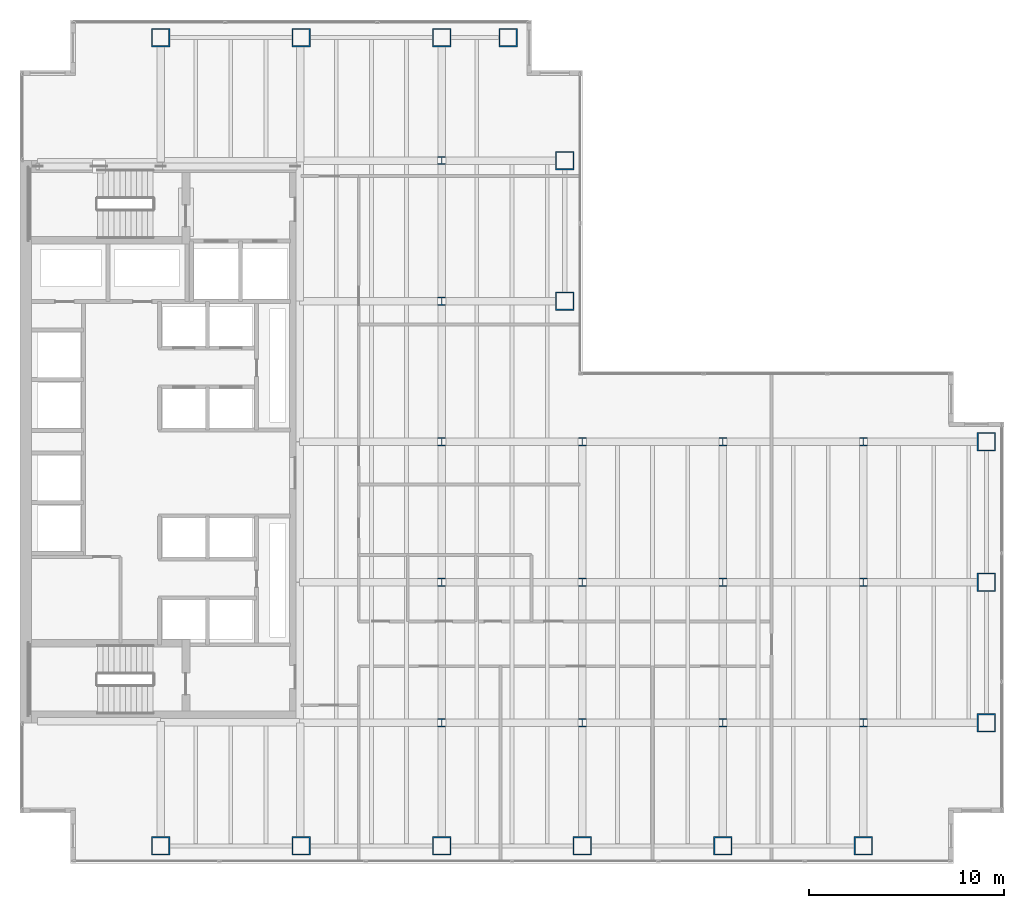
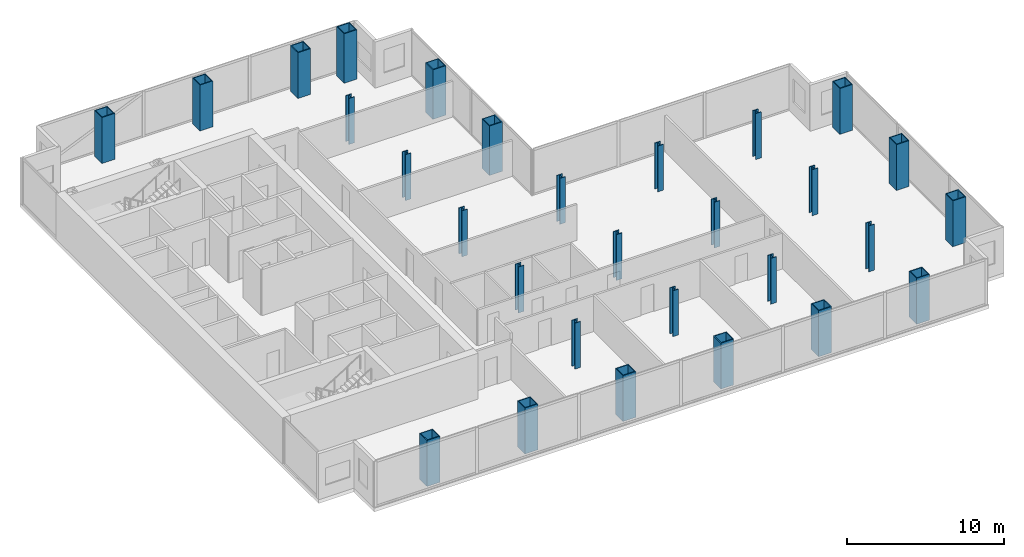
# One storey, part 1 of 23: 29 columns.
"""IFC4 building model written with IfcOpenShell, lengths in metres."""

from ifc_helpers import new_model, si_unit, direction, frame, origin, origin_2d, place, context, subcontext, project, spatial, hollow_rectangle, i_section, extrude, material, material_profile, profile_set, type_object, element, save


model = new_model("IFC4")

# Units and contexts
model_context = context("Model", 3, precision=1e-05, world=origin(), true_north=direction((0.0, 1.0)))
body_context = subcontext(model_context, "Body", "Model", "MODEL_VIEW")
ifc_project = project(units=[si_unit("LENGTHUNIT", "METRE"), si_unit("AREAUNIT", "SQUARE_METRE"), si_unit("VOLUMEUNIT", "CUBIC_METRE"), si_unit("PLANEANGLEUNIT", "RADIAN"), si_unit("MASSUNIT", "GRAM", prefix="KILO")], contexts=[model_context])

# Site, building, storey
site_placement = place(None, origin())
site = spatial("IfcSite", under=ifc_project, at=site_placement, CompositionType="ELEMENT")
building_placement = place(site_placement, origin())
building = spatial("IfcBuilding", under=site, at=building_placement, Name="Cobrela Telecom Tower", CompositionType="ELEMENT")
storey_placement = place(building_placement, frame((0.0, 0.0, 88.89990234375)))
storey = spatial("IfcBuildingStorey", under=building, at=storey_placement, Name="L22", CompositionType="ELEMENT", Elevation=88.89990234375)

# Columns
ifc_material_1 = material(Name="Steel ASTM A992 Grade 50", Category="steel")
ifc_material_profile_1 = material_profile(ifc_material_1, i_section(OverallWidth=0.408935546875, OverallDepth=0.424072265625, WebThickness=0.03271484375, FlangeThickness=0.052490234375, FilletRadius=0.01806640625, at=origin_2d()), Name="W14X283")
ifc_profile_set_1 = profile_set([ifc_material_profile_1], Name="Steel ASTM A992 Grade 50")
column_type_1 = type_object("IfcColumnType", Name="COL-INT-05", PredefinedType="COLUMN", material=ifc_profile_set_1)
for number, where, z_axis, x_axis, name in (
    (1, (21.60009765625, 7.199951171875, 0.0), (0.0, 0.0, 1.0), (1.0, 0.0, 0.0), "L22 Interior Column 06"),
    (2, (21.60009765625, 14.39990234375, 0.0), (0.0, 0.0, 1.0), (1.0, 0.0, 0.0), "L22 Interior Column 07"),
    (3, (21.60009765625, 21.60009765625, 0.0), (0.0, 0.0, 1.0), (1.0, 0.0, 0.0), "L22 Interior Column 08"),
    (4, (21.60009765625, 28.800048828125, 0.0), (0.0, 0.0, 1.0), (1.0, 0.0, 0.0), "L22 Interior Column 09"),
    (5, (21.60009765625, 36.0, 0.0), (0.0, 0.0, 1.0), (1.0, 0.0, 0.0), "L22 Interior Column 10"),
    (6, (28.800048828125, 7.199951171875, 0.0), (0.0, 0.0, 1.0), (1.0, 0.0, 0.0), "L22 Interior Column 16"),
    (7, (28.800048828125, 14.39990234375, 0.0), (0.0, 0.0, 1.0), (1.0, 0.0, 0.0), "L22 Interior Column 17"),
    (8, (28.800048828125, 21.60009765625, 0.0), (0.0, 0.0, 1.0), (1.0, 0.0, 0.0), "L22 Interior Column 18"),
    (9, (36.0, 7.199951171875, 0.0), (0.0, 0.0, 1.0), (1.0, 0.0, 0.0), "L22 Interior Column 20"),
    (10, (36.0, 14.39990234375, 0.0), (0.0, 0.0, 1.0), (1.0, 0.0, 0.0), "L22 Interior Column 21"),
    (11, (36.0, 21.60009765625, 0.0), (0.0, 0.0, 1.0), (1.0, 0.0, 0.0), "L22 Interior Column 22"),
    (12, (43.199951171875, 7.199951171875, 0.0), (0.0, 0.0, 1.0), (1.0, 0.0, 0.0), "L22 Interior Column 24"),
    (13, (43.199951171875, 14.39990234375, 0.0), (0.0, 0.0, 1.0), (1.0, 0.0, 0.0), "L22 Interior Column 25"),
    (14, (43.199951171875, 21.60009765625, 0.0), (0.0, 0.0, 1.0), (1.0, 0.0, 0.0), "L22 Interior Column 26"),
):
    element("IfcColumn", number, at=place(storey_placement, frame(where, z_axis=z_axis, x_axis=x_axis)), inside=storey, type_object=column_type_1, Name=name, PredefinedType="COLUMN", context=body_context, shape_type="SweptSolid", body=[
        extrude(i_section(OverallWidth=0.408935546875, OverallDepth=0.424072265625, WebThickness=0.03271484375, FlangeThickness=0.052490234375, FilletRadius=0.01806640625, at=origin_2d()), origin(), (0.0, 0.0, 1.0), 3.570068359375),
    ])
ifc_material_2 = material(Name="Steel ASTM A572 Grade 50", Category="steel")
ifc_material_profile_2 = material_profile(ifc_material_2, hollow_rectangle(XDim=0.949951171875, YDim=0.949951171875, WallThickness=0.06005859375, at=origin_2d()), Name="BOX 950x950x60")
ifc_profile_set_2 = profile_set([ifc_material_profile_2], Name="Steel ASTM A572 Grade 50")
column_type_2 = type_object("IfcColumnType", Name="COL-MEGA-04", PredefinedType="COLUMN", material=ifc_profile_set_2)
for number, where, z_axis, x_axis, name in (
    (15, (7.199951171875, 0.89990234375, 0.0), (0.0, 0.0, 1.0), (1.0, 0.0, 0.0), "L22 Perimeter Mega-Column 01"),
    (16, (7.199951171875, 42.300048828125, 0.0), (0.0, 0.0, 1.0), (1.0, 0.0, 0.0), "L22 Perimeter Mega-Column 02"),
    (17, (14.39990234375, 0.89990234375, 0.0), (0.0, 0.0, 1.0), (1.0, 0.0, 0.0), "L22 Perimeter Mega-Column 03"),
    (18, (14.39990234375, 42.300048828125, 0.0), (0.0, 0.0, 1.0), (1.0, 0.0, 0.0), "L22 Perimeter Mega-Column 04"),
    (19, (21.60009765625, 0.89990234375, 0.0), (0.0, 0.0, 1.0), (1.0, 0.0, 0.0), "L22 Perimeter Mega-Column 05"),
    (20, (21.60009765625, 42.300048828125, 0.0), (0.0, 0.0, 1.0), (1.0, 0.0, 0.0), "L22 Perimeter Mega-Column 11"),
):
    element("IfcColumn", number, at=place(storey_placement, frame(where, z_axis=z_axis, x_axis=x_axis)), inside=storey, type_object=column_type_2, Name=name, PredefinedType="COLUMN", context=body_context, shape_type="SweptSolid", body=[
        extrude(hollow_rectangle(XDim=0.949951171875, YDim=0.949951171875, WallThickness=0.06005859375, at=origin_2d()), origin(), (0.0, 0.0, 1.0), 3.570068359375),
    ])
for number, where, z_axis, x_axis, name in (
    (21, (25.0, 42.300048828125, 0.0), (0.0, 0.0, 1.0), (1.0, 0.0, 0.0), "L22 Perimeter Mega-Column 12"),
    (22, (27.89990234375, 28.800048828125, 0.0), (0.0, 0.0, 1.0), (1.0, 0.0, 0.0), "L22 Perimeter Mega-Column 13"),
    (23, (27.89990234375, 36.0, 0.0), (0.0, 0.0, 1.0), (1.0, 0.0, 0.0), "L22 Perimeter Mega-Column 14"),
):
    element("IfcColumn", number, at=place(storey_placement, frame(where, z_axis=z_axis, x_axis=x_axis)), inside=storey, type_object=column_type_2, Name=name, PredefinedType="COLUMN", context=body_context, shape_type="SweptSolid", body=[
        extrude(hollow_rectangle(XDim=0.949951171875, YDim=0.949951171875, WallThickness=0.06005859375, at=origin_2d()), origin(), (0.0, 0.0, 1.0), 3.85009765625),
    ])
for number, where, z_axis, x_axis, name in (
    (24, (28.800048828125, 0.89990234375, 0.0), (0.0, 0.0, 1.0), (1.0, 0.0, 0.0), "L22 Perimeter Mega-Column 15"),
    (25, (36.0, 0.89990234375, 0.0), (0.0, 0.0, 1.0), (1.0, 0.0, 0.0), "L22 Perimeter Mega-Column 19"),
    (26, (43.199951171875, 0.89990234375, 0.0), (0.0, 0.0, 1.0), (1.0, 0.0, 0.0), "L22 Perimeter Mega-Column 23"),
    (27, (49.5, 7.199951171875, 0.0), (0.0, 0.0, 1.0), (1.0, 0.0, 0.0), "L22 Perimeter Mega-Column 27"),
    (28, (49.5, 14.39990234375, 0.0), (0.0, 0.0, 1.0), (1.0, 0.0, 0.0), "L22 Perimeter Mega-Column 28"),
    (29, (49.5, 21.60009765625, 0.0), (0.0, 0.0, 1.0), (1.0, 0.0, 0.0), "L22 Perimeter Mega-Column 29"),
):
    element("IfcColumn", number, at=place(storey_placement, frame(where, z_axis=z_axis, x_axis=x_axis)), inside=storey, type_object=column_type_2, Name=name, PredefinedType="COLUMN", context=body_context, shape_type="SweptSolid", body=[
        extrude(hollow_rectangle(XDim=0.949951171875, YDim=0.949951171875, WallThickness=0.06005859375, at=origin_2d()), origin(), (0.0, 0.0, 1.0), 3.570068359375),
    ])

save(model, "model.ifc")
